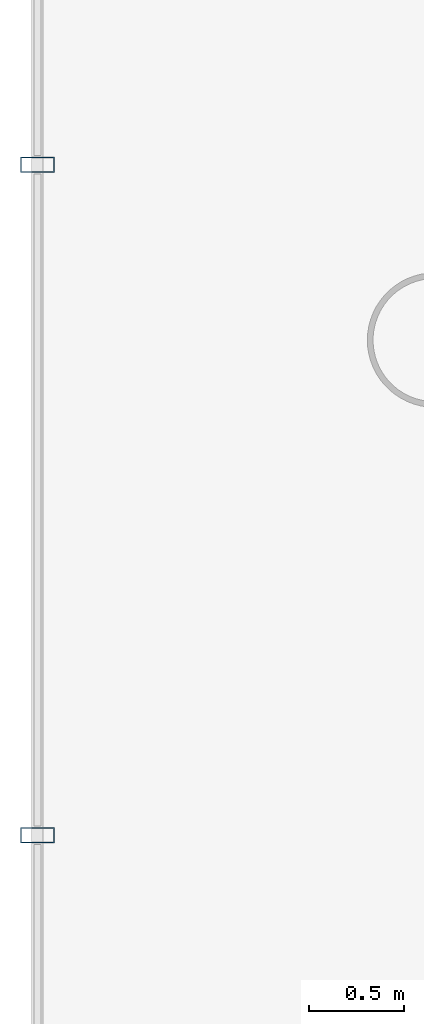
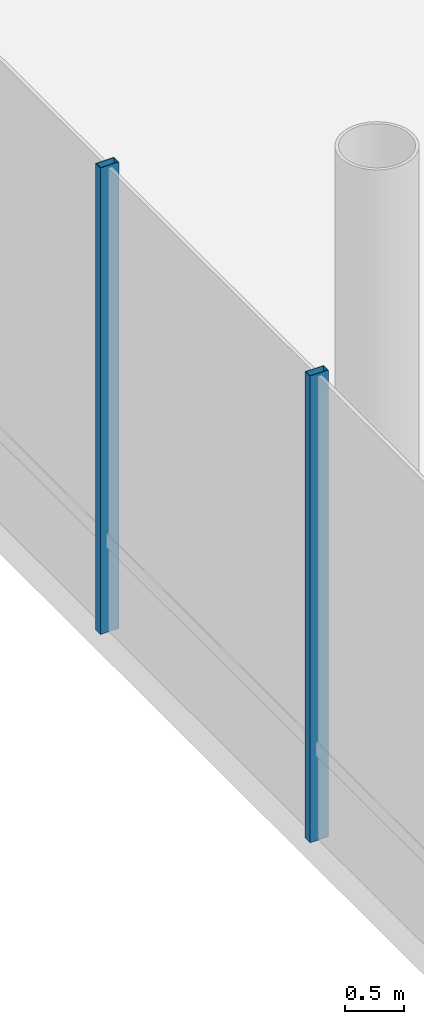
# One storey, part 6 of 31: 2 members, 1 element without a shape of its own.
"""IFC4 building model written with IfcOpenShell, lengths in metres."""

from ifc_helpers import new_model, si_unit, direction, frame, origin, origin_2d, place, context, subcontext, project, spatial, hollow_rectangle, extrude, material, layer, layer_set, material_profile, profile_set, type_object, element, aggregate, save


model = new_model("IFC4")

# Units and contexts
model_context = context("Model", 3, precision=1e-05, world=origin(), true_north=direction((0.0, 1.0)))
body_context = subcontext(model_context, "Body", "Model", "MODEL_VIEW")
ifc_project = project(units=[si_unit("LENGTHUNIT", "METRE"), si_unit("AREAUNIT", "SQUARE_METRE"), si_unit("VOLUMEUNIT", "CUBIC_METRE"), si_unit("PLANEANGLEUNIT", "RADIAN"), si_unit("MASSUNIT", "GRAM", prefix="KILO")], contexts=[model_context])

# Site, building, storey
site_placement = place(None, origin())
site = spatial("IfcSite", under=ifc_project, at=site_placement, CompositionType="ELEMENT")
building_placement = place(site_placement, origin())
building = spatial("IfcBuilding", under=site, at=building_placement, Name="Zarrinselat Tower", CompositionType="ELEMENT")
storey_placement = place(building_placement, origin())
storey = spatial("IfcBuildingStorey", under=building, at=storey_placement, Name="L00", CompositionType="ELEMENT", Elevation=0.0)

# Curtain wall, members
ifc_material_1 = material(Name="Extruded Aluminium Alloy EN AW-6063 T6", Category="aluminium")
ifc_layer = layer(ifc_material_1, 0.2099609375)
ifc_layer_set = layer_set([ifc_layer], Name="Extruded Aluminium Alloy EN AW-6063 T6")
curtain_wall_type = type_object("IfcCurtainWallType", Name="CWS-POD", PredefinedType="NOTDEFINED", material=ifc_layer_set)
curtain_wall_placement = place(storey_placement, origin())
curtain_wall = element("IfcCurtainWall", 1, at=curtain_wall_placement, inside=storey, type_object=curtain_wall_type, Name="L00 Unitised Curtain Wall CW-L00-E7", PredefinedType="NOTDEFINED")
ifc_material_2 = material(Name="Extruded Aluminium Alloy EN AW-6063 T6", Category="aluminium")
ifc_material_profile = material_profile(ifc_material_2, hollow_rectangle(XDim=0.080078125, YDim=0.179931640625, WallThickness=0.0048828125, at=origin_2d()), Name="RHS 180x80x5")
ifc_profile_set = profile_set([ifc_material_profile], Name="Extruded Aluminium Alloy EN AW-6063 T6")
member_type = type_object("IfcMemberType", Name="MEM-CW-MUL", PredefinedType="MULLION", material=ifc_profile_set)
member_1_placement = place(storey_placement, frame((-2.5, 26.727294921875, 0.0), z_axis=(0.0, 0.0, 1.0), x_axis=(0.0, -1.0, 0.0)))
member_1 = element("IfcMember", 2, at=member_1_placement, type_object=member_type, Name="CW-L00-E7 Mullion 7", PredefinedType="MULLION", context=body_context, shape_type="SweptSolid", body=[
    extrude(hollow_rectangle(XDim=0.080078125, YDim=0.179931640625, WallThickness=0.0048828125, at=origin_2d()), origin(), (0.0, 0.0, 1.0), 4.820068359375),
])
member_2_placement = place(storey_placement, frame((-2.5, 23.181884765625, 0.0), z_axis=(0.0, 0.0, 1.0), x_axis=(0.0, -1.0, 0.0)))
member_2 = element("IfcMember", 3, at=member_2_placement, type_object=member_type, Name="CW-L00-E7 Mullion 8", PredefinedType="MULLION", context=body_context, shape_type="SweptSolid", body=[
    extrude(hollow_rectangle(XDim=0.080078125, YDim=0.179931640625, WallThickness=0.0048828125, at=origin_2d()), origin(), (0.0, 0.0, 1.0), 4.820068359375),
])
aggregate(curtain_wall, [member_1, member_2])

save(model, "model.ifc")
